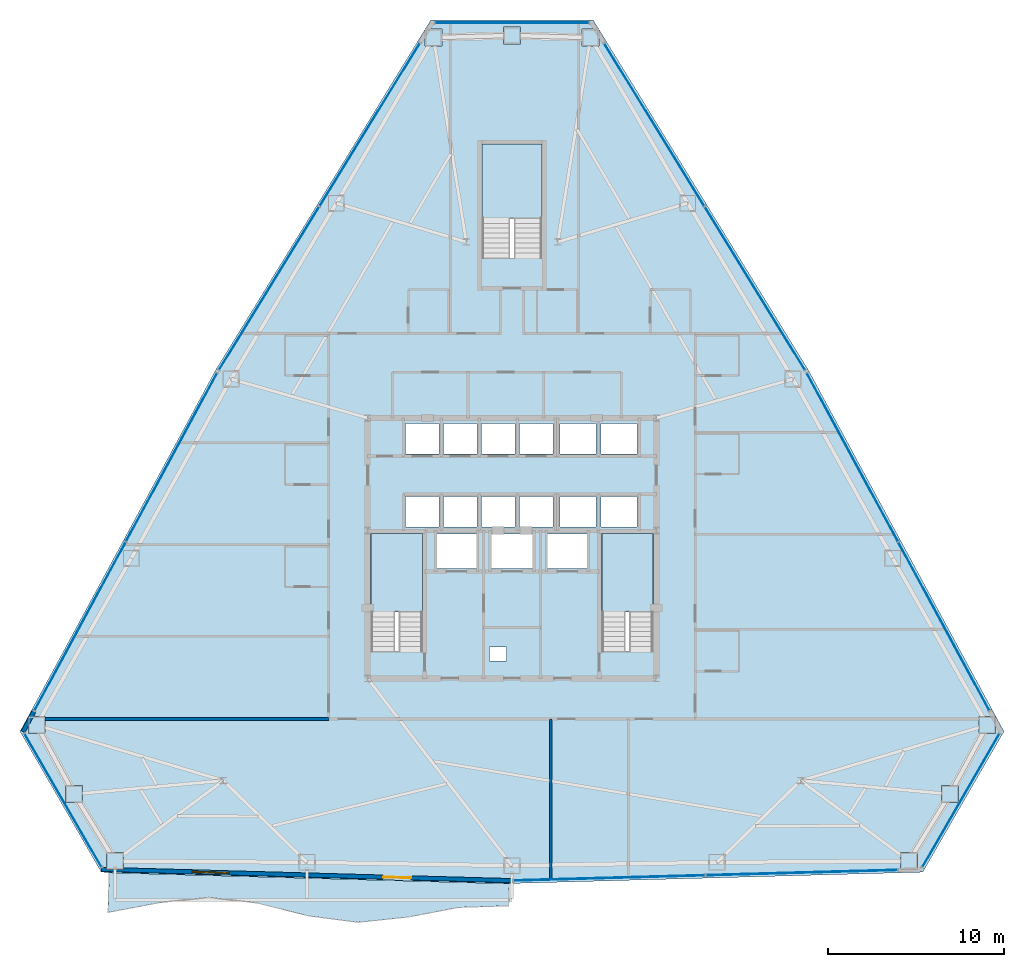
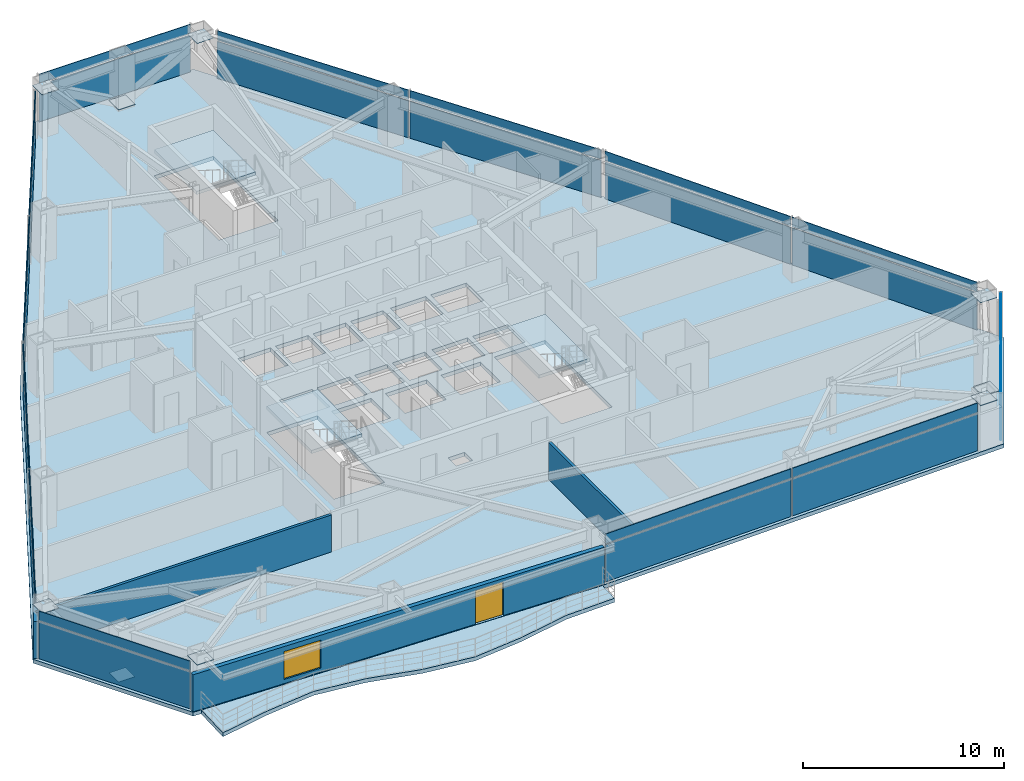
# One storey, part 8 of 13: 35 plates, 5 slabs, 4 walls, 1 door, 1 window, 2 openings, 11 elements without a shape of their own.
"""IFC4 building model written with IfcOpenShell, lengths in metres."""

from ifc_helpers import new_model, si_unit, direction, frame, frame_2d, origin, origin_2d, place, context, subcontext, project, spatial, polyline, rectangle, outline, extrude, source, transform, mapped, material, layer, layer_set, type_object, type_shapes, element, fill, aggregate, save


model = new_model("IFC4")

# Units and contexts
model_context = context("Model", 3, precision=1e-05, world=origin(), true_north=direction((0.0, 1.0)))
body_context = subcontext(model_context, "Body", "Model", "MODEL_VIEW")
ifc_project = project(units=[si_unit("LENGTHUNIT", "METRE"), si_unit("AREAUNIT", "SQUARE_METRE"), si_unit("VOLUMEUNIT", "CUBIC_METRE"), si_unit("PLANEANGLEUNIT", "RADIAN"), si_unit("MASSUNIT", "GRAM", prefix="KILO")], contexts=[model_context])

# Site, building, storey
site_placement = place(None, origin())
site = spatial("IfcSite", under=ifc_project, at=site_placement, CompositionType="ELEMENT")
building_placement = place(site_placement, origin())
building = spatial("IfcBuilding", under=site, at=building_placement, Name="Varakhsha Concourse Tower", CompositionType="ELEMENT")
storey_placement = place(building_placement, frame((0.0, 0.0, 102.199951171875)))
storey = spatial("IfcBuildingStorey", under=building, at=storey_placement, Name="L29", CompositionType="ELEMENT", Elevation=102.199951171875)

# Slab
ifc_material_1 = material(Name="Concrete fc 45 MPa", Category="concrete")
ifc_layer_1 = layer(ifc_material_1, 0.22998046875, Name="SL-FLR-230")
ifc_layer_set_1 = layer_set([ifc_layer_1], Name="Concrete fc 45 MPa")
slab_type_1 = type_object("IfcSlabType", Name="SL-FLR-230", PredefinedType="FLOOR", material=ifc_layer_set_1)
slab_1_placement = place(storey_placement, frame((0.0, 0.0, -0.22998046875)))
element("IfcSlab", 1, at=slab_1_placement, inside=storey, type_object=slab_type_1, Name="L29 Composite Structural Slab", PredefinedType="FLOOR", context=body_context, shape_type="SweptSolid", body=[
    extrude(outline(polyline([(44.6142578125, 53.807861328125), (35.3857421875, 53.807861328125), (23.161865234375, 33.92138671875), (12.0517578125, 13.39208984375), (16.666015625, 5.39990234375), (40.0, 4.757080078125), (63.333984375, 5.39990234375), (67.9482421875, 13.39208984375), (56.838134765625, 33.92138671875), (44.6142578125, 53.807861328125)]), holes=[polyline([(34.919921875, 17.93994140625), (34.919921875, 24.6298828125), (32.0, 24.6298828125), (32.0, 17.93994140625), (34.919921875, 17.93994140625)]), polyline([(48.02001953125, 17.93994140625), (48.02001953125, 24.6298828125), (45.10009765625, 24.6298828125), (45.10009765625, 17.93994140625), (48.02001953125, 17.93994140625)]), polyline([(41.699951171875, 40.300048828125), (41.699951171875, 46.75), (38.300048828125, 46.75), (38.300048828125, 40.300048828125), (41.699951171875, 40.300048828125)]), polyline([(33.9599609375, 29.159912109375), (35.840087890625, 29.159912109375), (35.840087890625, 30.89990234375), (33.9599609375, 30.89990234375), (33.9599609375, 29.159912109375)]), polyline([(36.1201171875, 29.159912109375), (38.0, 29.159912109375), (38.0, 30.89990234375), (36.1201171875, 30.89990234375), (36.1201171875, 29.159912109375)]), polyline([(38.280029296875, 29.159912109375), (40.159912109375, 29.159912109375), (40.159912109375, 30.89990234375), (38.280029296875, 30.89990234375), (38.280029296875, 29.159912109375)]), polyline([(40.43994140625, 29.159912109375), (42.320068359375, 29.159912109375), (42.320068359375, 30.89990234375), (40.43994140625, 30.89990234375), (40.43994140625, 29.159912109375)]), polyline([(33.9599609375, 25.0), (35.840087890625, 25.0), (35.840087890625, 26.739990234375), (33.9599609375, 26.739990234375), (33.9599609375, 25.0)]), polyline([(36.1201171875, 25.0), (38.0, 25.0), (38.0, 26.739990234375), (36.1201171875, 26.739990234375), (36.1201171875, 25.0)]), polyline([(38.280029296875, 25.0), (40.159912109375, 25.0), (40.159912109375, 26.739990234375), (38.280029296875, 26.739990234375), (38.280029296875, 25.0)]), polyline([(40.43994140625, 25.0), (42.320068359375, 25.0), (42.320068359375, 26.739990234375), (40.43994140625, 26.739990234375), (40.43994140625, 25.0)]), polyline([(42.739990234375, 29.159912109375), (44.780029296875, 29.159912109375), (44.780029296875, 30.89990234375), (42.739990234375, 30.89990234375), (42.739990234375, 29.159912109375)]), polyline([(45.06005859375, 29.159912109375), (47.10009765625, 29.159912109375), (47.10009765625, 30.89990234375), (45.06005859375, 30.89990234375), (45.06005859375, 29.159912109375)]), polyline([(42.739990234375, 25.0), (44.780029296875, 25.0), (44.780029296875, 26.739990234375), (42.739990234375, 26.739990234375), (42.739990234375, 25.0)]), polyline([(45.06005859375, 25.0), (47.10009765625, 25.0), (47.10009765625, 26.739990234375), (45.06005859375, 26.739990234375), (45.06005859375, 25.0)]), polyline([(35.7099609375, 22.639892578125), (37.989990234375, 22.639892578125), (37.989990234375, 24.60009765625), (35.7099609375, 24.60009765625), (35.7099609375, 22.639892578125)]), polyline([(42.010009765625, 22.639892578125), (44.2900390625, 22.639892578125), (44.2900390625, 24.60009765625), (42.010009765625, 24.60009765625), (42.010009765625, 22.639892578125)]), polyline([(38.81005859375, 22.639892578125), (41.18994140625, 22.639892578125), (41.18994140625, 24.60009765625), (38.81005859375, 24.60009765625), (38.81005859375, 22.639892578125)]), polyline([(38.719970703125, 17.39990234375), (39.679931640625, 17.39990234375), (39.679931640625, 18.199951171875), (38.719970703125, 18.199951171875), (38.719970703125, 17.39990234375)])]), origin(), (0.0, 0.0, 1.0), 0.22998046875),
])

# Stair, slab
stair_type_1 = type_object("IfcStairType", Name="ST-DOGLEG-1360", PredefinedType="HALF_TURN_STAIR", material=ifc_material_1)
stair_1_placement = place(storey_placement, origin())
stair_1 = element("IfcStair", 2, at=stair_1_placement, inside=storey, type_object=stair_type_1, Name="L29 Protected Exit Stair ST1", PredefinedType="HALF_TURN_STAIR")
ifc_layer_2 = layer(ifc_material_1, 0.199951171875, Name="SL-LAND-200")
ifc_layer_set_2 = layer_set([ifc_layer_2], Name="Concrete fc 45 MPa")
slab_type_2 = type_object("IfcSlabType", Name="SL-LAND-200", PredefinedType="LANDING", material=ifc_layer_set_2)
slab_2_placement = place(storey_placement, frame((0.0, 0.0, 1.400146484375)))
slab_2 = element("IfcSlab", 3, at=slab_2_placement, type_object=slab_type_2, Name="ST1 landing 1", PredefinedType="LANDING", context=body_context, shape_type="SweptSolid", body=[
    extrude(outline(polyline([(34.919921875, 20.179931640625), (34.919921875, 24.6298828125), (32.0, 24.6298828125), (32.0, 20.179931640625), (34.919921875, 20.179931640625)])), origin(), (0.0, 0.0, 1.0), 0.199951171875),
])
aggregate(stair_1, [slab_2])

stair_2_placement = place(storey_placement, origin())
stair_2 = element("IfcStair", 4, at=stair_2_placement, inside=storey, type_object=stair_type_1, Name="L29 Protected Exit Stair ST2", PredefinedType="HALF_TURN_STAIR")
slab_3_placement = place(storey_placement, frame((0.0, 0.0, 1.400146484375)))
slab_3 = element("IfcSlab", 5, at=slab_3_placement, type_object=slab_type_2, Name="ST2 landing 1", PredefinedType="LANDING", context=body_context, shape_type="SweptSolid", body=[
    extrude(outline(polyline([(48.02001953125, 20.179931640625), (48.02001953125, 24.6298828125), (45.10009765625, 24.6298828125), (45.10009765625, 20.179931640625), (48.02001953125, 20.179931640625)])), origin(), (0.0, 0.0, 1.0), 0.199951171875),
])
aggregate(stair_2, [slab_3])

stair_type_2 = type_object("IfcStairType", Name="ST-DOGLEG-1600", PredefinedType="HALF_TURN_STAIR", material=ifc_material_1)
stair_3_placement = place(storey_placement, origin())
stair_3 = element("IfcStair", 6, at=stair_3_placement, inside=storey, type_object=stair_type_2, Name="L29 Protected Exit Stair ST5", PredefinedType="HALF_TURN_STAIR")
slab_4_placement = place(storey_placement, frame((0.0, 0.0, 1.400146484375)))
slab_4 = element("IfcSlab", 7, at=slab_4_placement, type_object=slab_type_2, Name="ST5 landing 1", PredefinedType="LANDING", context=body_context, shape_type="SweptSolid", body=[
    extrude(outline(polyline([(41.699951171875, 42.5400390625), (41.699951171875, 46.75), (38.300048828125, 46.75), (38.300048828125, 42.5400390625), (41.699951171875, 42.5400390625)])), origin(), (0.0, 0.0, 1.0), 0.199951171875),
])
aggregate(stair_3, [slab_4])

# Slab
ifc_layer_3 = layer(ifc_material_1, 0.239990234375, Name="SL-TERR-240")
ifc_layer_set_3 = layer_set([ifc_layer_3], Name="Concrete fc 45 MPa")
slab_type_3 = type_object("IfcSlabType", Name="SL-TERR-240", PredefinedType="FLOOR", material=ifc_layer_set_3)
slab_5_placement = place(storey_placement, frame((0.0, 0.0, -0.239990234375)))
element("IfcSlab", 8, at=slab_5_placement, inside=storey, type_object=slab_type_3, Name="L29 Hotel Wave Sky-Loggia Balcony", PredefinedType="FLOOR", context=body_context, shape_type="SweptSolid", body=[
    extrude(outline(polyline([(17.115478515625, 5.37255859375), (39.849609375, 4.74609375), (39.81494140625, 3.486328125), (36.968505859375, 3.397216796875), (34.109619140625, 2.851318359375), (31.25732421875, 2.549072265625), (28.423583984375, 2.91748046875), (25.59912109375, 3.631103515625), (22.764892578125, 3.976806640625), (19.912109375, 3.65478515625), (17.05322265625, 3.1142578125), (17.115478515625, 5.37255859375)])), origin(), (0.0, 0.0, 1.0), 0.239990234375),
])

# Plates
ifc_material_2 = material(Name="Structural Steel ASTM A572 Grade 50", Category="steel")
ifc_layer_4 = layer(ifc_material_2, 0.030029296875, Name="PL-ENDCAP-950")
ifc_layer_set_4 = layer_set([ifc_layer_4], Name="Structural Steel ASTM A572 Grade 50")
plate_type_1 = type_object("IfcPlateType", Name="PL-ENDCAP-950", PredefinedType="USERDEFINED", material=ifc_layer_set_4)
shared_shape_1 = source(origin(), body_context, "Body", "SweptSolid", [
    extrude(rectangle(XDim=0.949951171875, YDim=0.949951171875, at=origin_2d()), origin(), (0.0, 0.0, 1.0), 0.030029296875),
])
type_shapes(plate_type_1, [shared_shape_1])
for number, where, z_axis, x_axis, name in (
    (9, (40.0, 52.927734375, 0.10498046875), (0.0, 0.0, 1.0), (1.0, 0.0, 0.0), "Hollow Section End Cap GP-NODE-L29-0274"),
    (10, (44.45849609375, 52.807861328125, 2.6552734375), (0.0, 0.0, 1.0), (1.0, 0.0, 0.0), "Hollow Section End Cap GP-NODE-L29-0275"),
    (11, (35.54150390625, 52.807861328125, 2.6552734375), (0.0, 0.0, 1.0), (1.0, 0.0, 0.0), "Hollow Section End Cap GP-NODE-L29-0276"),
    (12, (15.12109375, 9.836181640625, 0.10498046875), (0.0, 0.0, 1.0), (1.0, 0.0, 0.0), "Hollow Section End Cap GP-NODE-L29-0277"),
    (13, (12.99560546875, 13.757080078125, 2.6552734375), (0.0, 0.0, 1.0), (1.0, 0.0, 0.0), "Hollow Section End Cap GP-NODE-L29-0278"),
    (14, (17.4541015625, 6.034912109375, 2.6552734375), (0.0, 0.0, 1.0), (1.0, 0.0, 0.0), "Hollow Section End Cap GP-NODE-L29-0279"),
    (15, (64.87890625, 9.836181640625, 0.10498046875), (0.0, 0.0, 1.0), (1.0, 0.0, 0.0), "Hollow Section End Cap GP-NODE-L29-0280"),
    (16, (62.5458984375, 6.034912109375, 2.6552734375), (0.0, 0.0, 1.0), (1.0, 0.0, 0.0), "Hollow Section End Cap GP-NODE-L29-0281"),
    (17, (67.00439453125, 13.757080078125, 2.6552734375), (0.0, 0.0, 1.0), (1.0, 0.0, 0.0), "Hollow Section End Cap GP-NODE-L29-0282"),
):
    element("IfcPlate", number, at=place(storey_placement, frame(where, z_axis=z_axis, x_axis=x_axis)), inside=storey, type_object=plate_type_1, Name=name, ObjectType="END PLATE", PredefinedType="USERDEFINED", context=body_context, shape_type="MappedRepresentation", body=[
        mapped(shared_shape_1, transform((0.0, 0.0, 0.0), scale=1.0)),
    ])

# Curtain wall, plate
ifc_material_3 = material(Name="Anodised Bronze Architectural Aluminium AA 6063-T6", Category="aluminium")
ifc_layer_5 = layer(ifc_material_3, 0.199951171875, Name="CW-SYS-03")
ifc_layer_set_5 = layer_set([ifc_layer_5], Name="Anodised Bronze Architectural Aluminium AA 6063-T6")
curtain_wall_type = type_object("IfcCurtainWallType", Name="CW-SYS-03", PredefinedType="NOTDEFINED", material=ifc_layer_set_5)
curtain_wall_1_placement = place(storey_placement, origin())
curtain_wall_1 = element("IfcCurtainWall", 18, at=curtain_wall_1_placement, inside=storey, type_object=curtain_wall_type, Name="L29 Chamfer Curtain Wall F1", PredefinedType="NOTDEFINED")
ifc_material_4 = material(Name="Insulated Anodised Bronze Aluminium Spandrel 36 mm", Category="aluminium")
ifc_layer_6 = layer(ifc_material_4, 0.035888671875, Name="CWP-SPN-36")
ifc_layer_set_6 = layer_set([ifc_layer_6], Name="Insulated Anodised Bronze Aluminium Spandrel 36 mm")
plate_type_2 = type_object("IfcPlateType", Name="CWP-SPN-36", PredefinedType="USERDEFINED", material=ifc_layer_set_6)
shared_shape_2 = source(origin(), body_context, "Body", "SweptSolid", [
    extrude(rectangle(XDim=8.709716796875, YDim=0.035888671875, at=origin_2d()), origin(), (0.0, 0.0, 1.0), 2.2509765625),
])
type_shapes(plate_type_2, [shared_shape_2])
plate_1_placement = place(storey_placement, frame((40.0, 53.647705078125, 0.03466796875), z_axis=(0.0, 0.0, 1.0), x_axis=(1.0, 0.0, 0.0)))
plate_1 = element("IfcPlate", 19, at=plate_1_placement, type_object=plate_type_2, Name="CW-L29-F1 Panel 00-00", ObjectType="SPANDREL", PredefinedType="USERDEFINED", context=body_context, shape_type="MappedRepresentation", body=[
    mapped(shared_shape_2, transform((0.0, 0.0, 0.0), scale=1.0)),
])

curtain_wall_2_placement = place(storey_placement, origin())
curtain_wall_2 = element("IfcCurtainWall", 20, at=curtain_wall_2_placement, inside=storey, type_object=curtain_wall_type, Name="L29 Chamfer Curtain Wall F4", PredefinedType="NOTDEFINED")
plate_2_placement = place(storey_placement, frame((14.49755859375, 9.47607421875, 0.03466796875), z_axis=(0.0, 0.0, 1.0), x_axis=(-0.499996976998, 0.866027149108, 0.0)))
plate_2 = element("IfcPlate", 21, at=plate_2_placement, type_object=plate_type_2, Name="CW-L29-F4 Panel 00-00", ObjectType="SPANDREL", PredefinedType="USERDEFINED", context=body_context, shape_type="MappedRepresentation", body=[
    mapped(shared_shape_2, transform((0.0, 0.0, 0.0), scale=1.0)),
])

curtain_wall_3_placement = place(storey_placement, origin())
curtain_wall_3 = element("IfcCurtainWall", 22, at=curtain_wall_3_placement, inside=storey, type_object=curtain_wall_type, Name="L29 Chamfer Curtain Wall F7", PredefinedType="NOTDEFINED")
plate_3_placement = place(storey_placement, frame((65.50244140625, 9.47607421875, 0.03466796875), z_axis=(0.0, 0.0, 1.0), x_axis=(-0.499996976998, -0.866027149108, 0.0)))
plate_3 = element("IfcPlate", 23, at=plate_3_placement, type_object=plate_type_2, Name="CW-L29-F7 Panel 00-00", ObjectType="SPANDREL", PredefinedType="USERDEFINED", context=body_context, shape_type="MappedRepresentation", body=[
    mapped(shared_shape_2, transform((0.0, 0.0, 0.0), scale=1.0)),
])

# Plate
ifc_material_5 = material(Name="Glazed Turquoise-Bronze Ceramic Spandrel Panel 38 mm", Category="ceramic")
ifc_layer_7 = layer(ifc_material_5, 0.0380859375, Name="CWP-SPN-38")
ifc_layer_set_7 = layer_set([ifc_layer_7], Name="Glazed Turquoise-Bronze Ceramic Spandrel Panel 38 mm")
plate_type_3 = type_object("IfcPlateType", Name="CWP-SPN-38", PredefinedType="USERDEFINED", material=ifc_layer_set_7)
shared_shape_3 = source(origin(), body_context, "Body", "SweptSolid", [
    extrude(rectangle(XDim=8.709716796875, YDim=0.0380859375, at=origin_2d()), origin(), (0.0, 0.0, 1.0), 0.5810546875),
])
plate_4_placement = place(storey_placement, frame((40.0, 53.647705078125, 2.3544921875), z_axis=(0.0, 0.0, 1.0), x_axis=(1.0, 0.0, 0.0)))
plate_4 = element("IfcPlate", 24, at=plate_4_placement, type_object=plate_type_3, Name="CW-L29-F1 Panel 00-01", ObjectType="SPANDREL", PredefinedType="USERDEFINED", context=body_context, shape_type="MappedRepresentation", body=[
    mapped(shared_shape_3, transform((0.0, 0.0, 0.0), scale=1.0)),
])

aggregate(curtain_wall_1, [plate_1, plate_4])

plate_5_placement = place(storey_placement, frame((14.49755859375, 9.47607421875, 2.3544921875), z_axis=(0.0, 0.0, 1.0), x_axis=(-0.499996976998, 0.866027149108, 0.0)))
plate_5 = element("IfcPlate", 25, at=plate_5_placement, type_object=plate_type_3, Name="CW-L29-F4 Panel 00-01", ObjectType="SPANDREL", PredefinedType="USERDEFINED", context=body_context, shape_type="MappedRepresentation", body=[
    mapped(shared_shape_3, transform((0.0, 0.0, 0.0), scale=1.0)),
])

aggregate(curtain_wall_2, [plate_2, plate_5])

plate_6_placement = place(storey_placement, frame((65.50244140625, 9.47607421875, 2.3544921875), z_axis=(0.0, 0.0, 1.0), x_axis=(-0.499996976998, -0.866027149108, 0.0)))
plate_6 = element("IfcPlate", 26, at=plate_6_placement, type_object=plate_type_3, Name="CW-L29-F7 Panel 00-01", ObjectType="SPANDREL", PredefinedType="USERDEFINED", context=body_context, shape_type="MappedRepresentation", body=[
    mapped(shared_shape_3, transform((0.0, 0.0, 0.0), scale=1.0)),
])

aggregate(curtain_wall_3, [plate_3, plate_6])

# Curtain wall, plates
curtain_wall_4_placement = place(storey_placement, origin())
curtain_wall_4 = element("IfcCurtainWall", 27, at=curtain_wall_4_placement, inside=storey, type_object=curtain_wall_type, Name="L29 Crystal Curtain Wall F2", PredefinedType="NOTDEFINED")
ifc_material_6 = material(Name="Low-E Triple Insulating Glass IGU 44 mm", Category="glass")
ifc_layer_8 = layer(ifc_material_6, 0.0439453125, Name="CWP-IGU-44")
ifc_layer_set_8 = layer_set([ifc_layer_8], Name="Low-E Triple Insulating Glass IGU 44 mm")
plate_type_4 = type_object("IfcPlateType", Name="CWP-IGU-44", PredefinedType="CURTAIN_PANEL", material=ifc_layer_set_8)
shared_shape_4 = source(origin(), body_context, "Body", "SweptSolid", [
    extrude(rectangle(XDim=10.84228515625, YDim=0.0439453125, at=origin_2d()), origin(), (0.0, 0.0, 1.0), 2.2509765625),
])
plate_7_placement = place(storey_placement, frame((26.19970703125, 38.55810546875, 0.03466796875), z_axis=(0.0, 0.0, 1.0), x_axis=(0.523664775253, 0.851924411646, 0.0)))
plate_7 = element("IfcPlate", 28, at=plate_7_placement, type_object=plate_type_4, Name="CW-L29-F2 Panel 00-00", PredefinedType="CURTAIN_PANEL", context=body_context, shape_type="MappedRepresentation", body=[
    mapped(shared_shape_4, transform((0.0, 0.0, 0.0), scale=1.0)),
])
plate_8_placement = place(storey_placement, frame((31.918701171875, 47.8623046875, 0.03466796875), z_axis=(0.0, 0.0, 1.0), x_axis=(0.523664775253, 0.851924411646, 0.0)))
plate_8 = element("IfcPlate", 29, at=plate_8_placement, type_object=plate_type_4, Name="CW-L29-F2 Panel 01-00", PredefinedType="CURTAIN_PANEL", context=body_context, shape_type="MappedRepresentation", body=[
    mapped(shared_shape_4, transform((0.0, 0.0, 0.0), scale=1.0)),
])

# Curtain wall, plate
curtain_wall_5_placement = place(storey_placement, origin())
curtain_wall_5 = element("IfcCurtainWall", 30, at=curtain_wall_5_placement, inside=storey, type_object=curtain_wall_type, Name="L29 Crystal Curtain Wall F3", PredefinedType="NOTDEFINED")
plate_9_placement = place(storey_placement, frame((20.665283203125, 28.972412109375, 0.03466796875), z_axis=(0.0, 0.0, 1.0), x_axis=(0.475958864887, 0.879467542855, 0.0)))
plate_9 = element("IfcPlate", 31, at=plate_9_placement, type_object=plate_type_4, Name="CW-L29-F3 Panel 01-00", PredefinedType="CURTAIN_PANEL", context=body_context, shape_type="MappedRepresentation", body=[
    mapped(shared_shape_4, transform((0.0, 0.0, 0.0), scale=1.0)),
])

curtain_wall_6_placement = place(storey_placement, origin())
curtain_wall_6 = element("IfcCurtainWall", 32, at=curtain_wall_6_placement, inside=storey, type_object=curtain_wall_type, Name="L29 Crystal Curtain Wall F6", PredefinedType="NOTDEFINED")
plate_10_placement = place(storey_placement, frame((45.5341796875, 5.069580078125, 0.03466796875), z_axis=(0.0, 0.0, 1.0), x_axis=(-0.99962052214, -0.02754653728, 0.0)))
plate_10 = element("IfcPlate", 33, at=plate_10_placement, type_object=plate_type_4, Name="CW-L29-F6 Panel 01-00", PredefinedType="CURTAIN_PANEL", context=body_context, shape_type="MappedRepresentation", body=[
    mapped(shared_shape_4, transform((0.0, 0.0, 0.0), scale=1.0)),
])

curtain_wall_7_placement = place(storey_placement, origin())
curtain_wall_7 = element("IfcCurtainWall", 34, at=curtain_wall_7_placement, inside=storey, type_object=curtain_wall_type, Name="L29 Crystal Curtain Wall F8", PredefinedType="NOTDEFINED")
plate_11_placement = place(storey_placement, frame((64.53271484375, 19.367431640625, 0.03466796875), z_axis=(0.0, 0.0, 1.0), x_axis=(0.475958864887, -0.879467542855, 0.0)))
plate_11 = element("IfcPlate", 35, at=plate_11_placement, type_object=plate_type_4, Name="CW-L29-F8 Panel 01-00", PredefinedType="CURTAIN_PANEL", context=body_context, shape_type="MappedRepresentation", body=[
    mapped(shared_shape_4, transform((0.0, 0.0, 0.0), scale=1.0)),
])

# Curtain wall, plates
curtain_wall_8_placement = place(storey_placement, origin())
curtain_wall_8 = element("IfcCurtainWall", 36, at=curtain_wall_8_placement, inside=storey, type_object=curtain_wall_type, Name="L29 Crystal Curtain Wall F9", PredefinedType="NOTDEFINED")
plate_12_placement = place(storey_placement, frame((48.081298828125, 47.8623046875, 0.03466796875), z_axis=(0.0, 0.0, 1.0), x_axis=(0.523664775253, -0.851924411646, 0.0)))
plate_12 = element("IfcPlate", 37, at=plate_12_placement, type_object=plate_type_4, Name="CW-L29-F9 Panel 00-00", PredefinedType="CURTAIN_PANEL", context=body_context, shape_type="MappedRepresentation", body=[
    mapped(shared_shape_4, transform((0.0, 0.0, 0.0), scale=1.0)),
])
plate_13_placement = place(storey_placement, frame((53.80029296875, 38.55810546875, 0.03466796875), z_axis=(0.0, 0.0, 1.0), x_axis=(0.523664775253, -0.851924411646, 0.0)))
plate_13 = element("IfcPlate", 38, at=plate_13_placement, type_object=plate_type_4, Name="CW-L29-F9 Panel 01-00", PredefinedType="CURTAIN_PANEL", context=body_context, shape_type="MappedRepresentation", body=[
    mapped(shared_shape_4, transform((0.0, 0.0, 0.0), scale=1.0)),
])

# Plate
shared_shape_5 = source(origin(), body_context, "Body", "SweptSolid", [
    extrude(rectangle(XDim=10.84228515625, YDim=0.0380859375, at=origin_2d()), origin(), (0.0, 0.0, 1.0), 0.5810546875),
])
plate_14_placement = place(storey_placement, frame((26.19970703125, 38.55810546875, 2.3544921875), z_axis=(0.0, 0.0, 1.0), x_axis=(0.523664775253, 0.851924411646, 0.0)))
plate_14 = element("IfcPlate", 39, at=plate_14_placement, type_object=plate_type_3, Name="CW-L29-F2 Panel 00-01", ObjectType="SPANDREL", PredefinedType="USERDEFINED", context=body_context, shape_type="MappedRepresentation", body=[
    mapped(shared_shape_5, transform((0.0, 0.0, 0.0), scale=1.0)),
])

plate_15_placement = place(storey_placement, frame((31.918701171875, 47.8623046875, 2.3544921875), z_axis=(0.0, 0.0, 1.0), x_axis=(0.523664775253, 0.851924411646, 0.0)))
plate_15 = element("IfcPlate", 40, at=plate_15_placement, type_object=plate_type_3, Name="CW-L29-F2 Panel 01-01", ObjectType="SPANDREL", PredefinedType="USERDEFINED", context=body_context, shape_type="MappedRepresentation", body=[
    mapped(shared_shape_5, transform((0.0, 0.0, 0.0), scale=1.0)),
])

aggregate(curtain_wall_4, [plate_7, plate_14, plate_8, plate_15])

plate_16_placement = place(storey_placement, frame((20.665283203125, 28.972412109375, 2.3544921875), z_axis=(0.0, 0.0, 1.0), x_axis=(0.475958864887, 0.879467542855, 0.0)))
plate_16 = element("IfcPlate", 41, at=plate_16_placement, type_object=plate_type_3, Name="CW-L29-F3 Panel 01-01", ObjectType="SPANDREL", PredefinedType="USERDEFINED", context=body_context, shape_type="MappedRepresentation", body=[
    mapped(shared_shape_5, transform((0.0, 0.0, 0.0), scale=1.0)),
])

plate_17_placement = place(storey_placement, frame((45.5341796875, 5.069580078125, 2.3544921875), z_axis=(0.0, 0.0, 1.0), x_axis=(-0.99962052214, -0.02754653728, 0.0)))
plate_17 = element("IfcPlate", 42, at=plate_17_placement, type_object=plate_type_3, Name="CW-L29-F6 Panel 01-01", ObjectType="SPANDREL", PredefinedType="USERDEFINED", context=body_context, shape_type="MappedRepresentation", body=[
    mapped(shared_shape_5, transform((0.0, 0.0, 0.0), scale=1.0)),
])

plate_18_placement = place(storey_placement, frame((64.53271484375, 19.367431640625, 2.3544921875), z_axis=(0.0, 0.0, 1.0), x_axis=(0.475958864887, -0.879467542855, 0.0)))
plate_18 = element("IfcPlate", 43, at=plate_18_placement, type_object=plate_type_3, Name="CW-L29-F8 Panel 01-01", ObjectType="SPANDREL", PredefinedType="USERDEFINED", context=body_context, shape_type="MappedRepresentation", body=[
    mapped(shared_shape_5, transform((0.0, 0.0, 0.0), scale=1.0)),
])

plate_19_placement = place(storey_placement, frame((48.081298828125, 47.8623046875, 2.3544921875), z_axis=(0.0, 0.0, 1.0), x_axis=(0.523664775253, -0.851924411646, 0.0)))
plate_19 = element("IfcPlate", 44, at=plate_19_placement, type_object=plate_type_3, Name="CW-L29-F9 Panel 00-01", ObjectType="SPANDREL", PredefinedType="USERDEFINED", context=body_context, shape_type="MappedRepresentation", body=[
    mapped(shared_shape_5, transform((0.0, 0.0, 0.0), scale=1.0)),
])

plate_20_placement = place(storey_placement, frame((53.80029296875, 38.55810546875, 2.3544921875), z_axis=(0.0, 0.0, 1.0), x_axis=(0.523664775253, -0.851924411646, 0.0)))
plate_20 = element("IfcPlate", 45, at=plate_20_placement, type_object=plate_type_3, Name="CW-L29-F9 Panel 01-01", ObjectType="SPANDREL", PredefinedType="USERDEFINED", context=body_context, shape_type="MappedRepresentation", body=[
    mapped(shared_shape_5, transform((0.0, 0.0, 0.0), scale=1.0)),
])

aggregate(curtain_wall_8, [plate_12, plate_19, plate_13, plate_20])

shared_shape_6 = source(origin(), body_context, "Body", "SweptSolid", [
    extrude(rectangle(XDim=10.842529296875, YDim=0.0439453125, at=origin_2d()), origin(), (0.0, 0.0, 1.0), 2.2509765625),
])
type_shapes(plate_type_4, [shared_shape_4, shared_shape_6])
plate_21_placement = place(storey_placement, frame((15.46728515625, 19.367431640625, 0.03466796875), z_axis=(0.0, 0.0, 1.0), x_axis=(0.475958864887, 0.879467542855, 0.0)))
plate_21 = element("IfcPlate", 46, at=plate_21_placement, type_object=plate_type_4, Name="CW-L29-F3 Panel 00-00", PredefinedType="CURTAIN_PANEL", context=body_context, shape_type="MappedRepresentation", body=[
    mapped(shared_shape_6, transform((0.0, 0.0, 0.0), scale=1.0)),
])

plate_22_placement = place(storey_placement, frame((56.451416015625, 5.370361328125, 0.03466796875), z_axis=(0.0, 0.0, 1.0), x_axis=(-0.99962052214, -0.02754653728, 0.0)))
plate_22 = element("IfcPlate", 47, at=plate_22_placement, type_object=plate_type_4, Name="CW-L29-F6 Panel 00-00", PredefinedType="CURTAIN_PANEL", context=body_context, shape_type="MappedRepresentation", body=[
    mapped(shared_shape_6, transform((0.0, 0.0, 0.0), scale=1.0)),
])

plate_23_placement = place(storey_placement, frame((59.334716796875, 28.972412109375, 0.03466796875), z_axis=(0.0, 0.0, 1.0), x_axis=(0.475958864887, -0.879467542855, 0.0)))
plate_23 = element("IfcPlate", 48, at=plate_23_placement, type_object=plate_type_4, Name="CW-L29-F8 Panel 00-00", PredefinedType="CURTAIN_PANEL", context=body_context, shape_type="MappedRepresentation", body=[
    mapped(shared_shape_6, transform((0.0, 0.0, 0.0), scale=1.0)),
])

shared_shape_7 = source(origin(), body_context, "Body", "SweptSolid", [
    extrude(rectangle(XDim=10.842529296875, YDim=0.0380859375, at=origin_2d()), origin(), (0.0, 0.0, 1.0), 0.5810546875),
])
type_shapes(plate_type_3, [shared_shape_3, shared_shape_5, shared_shape_7])
plate_24_placement = place(storey_placement, frame((15.46728515625, 19.367431640625, 2.3544921875), z_axis=(0.0, 0.0, 1.0), x_axis=(0.475958864887, 0.879467542855, 0.0)))
plate_24 = element("IfcPlate", 49, at=plate_24_placement, type_object=plate_type_3, Name="CW-L29-F3 Panel 00-01", ObjectType="SPANDREL", PredefinedType="USERDEFINED", context=body_context, shape_type="MappedRepresentation", body=[
    mapped(shared_shape_7, transform((0.0, 0.0, 0.0), scale=1.0)),
])

aggregate(curtain_wall_5, [plate_21, plate_24, plate_9, plate_16])

plate_25_placement = place(storey_placement, frame((56.451416015625, 5.370361328125, 2.3544921875), z_axis=(0.0, 0.0, 1.0), x_axis=(-0.99962052214, -0.02754653728, 0.0)))
plate_25 = element("IfcPlate", 50, at=plate_25_placement, type_object=plate_type_3, Name="CW-L29-F6 Panel 00-01", ObjectType="SPANDREL", PredefinedType="USERDEFINED", context=body_context, shape_type="MappedRepresentation", body=[
    mapped(shared_shape_7, transform((0.0, 0.0, 0.0), scale=1.0)),
])

aggregate(curtain_wall_6, [plate_22, plate_25, plate_10, plate_17])

plate_26_placement = place(storey_placement, frame((59.334716796875, 28.972412109375, 2.3544921875), z_axis=(0.0, 0.0, 1.0), x_axis=(0.475958864887, -0.879467542855, 0.0)))
plate_26 = element("IfcPlate", 51, at=plate_26_placement, type_object=plate_type_3, Name="CW-L29-F8 Panel 00-01", ObjectType="SPANDREL", PredefinedType="USERDEFINED", context=body_context, shape_type="MappedRepresentation", body=[
    mapped(shared_shape_7, transform((0.0, 0.0, 0.0), scale=1.0)),
])

aggregate(curtain_wall_7, [plate_23, plate_26, plate_11, plate_18])

# Wall
ifc_layer_9 = layer(ifc_material_1, 0.239990234375, Name="WL-EXT-CRN-240")
ifc_layer_set_9 = layer_set([ifc_layer_9], Name="Concrete fc 45 MPa")
wall_type_1 = type_object("IfcWallType", Name="WL-EXT-CRN-240", PredefinedType="SHEAR", material=ifc_layer_set_9)
wall_1_placement = place(storey_placement, frame((12.850341796875, 14.531982421875, 0.0), z_axis=(0.0, 0.0, 1.0), x_axis=(-0.475820948293, -0.879542167929, 0.0)))
element("IfcWall", 52, at=wall_1_placement, inside=storey, type_object=wall_type_1, Name="L29 Wind-Corner Shoulder Wall F3", PredefinedType="SHEAR", context=body_context, shape_type="SweptSolid", body=[
    extrude(rectangle(XDim=1.310546875, YDim=0.239990234375, at=frame_2d((0.6552734375, 0.0))), origin(), (0.0, 0.0, 1.0), 2.2529296875),
])

# Wall, openings, door, window
wall_2_placement = place(storey_placement, frame((39.984375, 4.91748046875, 0.0), z_axis=(0.0, 0.0, 1.0), x_axis=(-0.999620599442, 0.027543731983, 0.0)))
wall_2 = element("IfcWall", 53, at=wall_2_placement, inside=storey, type_object=wall_type_1, Name="L29 Sky-Loggia Facade Wall", PredefinedType="SHEAR", context=body_context, shape_type="SweptSolid", body=[
    extrude(rectangle(XDim=23.302734375, YDim=0.239990234375, at=frame_2d((11.6513671875, 0.0))), origin(), (0.0, 0.0, 1.0), 2.2529296875),
])
opening_1_placement = place(wall_2_placement, frame((5.7119140625, 0.0, 0.0)))
opening_1 = element("IfcOpeningElement", 54, at=opening_1_placement, cuts=wall_2, Name="Opening DT-02", PredefinedType="OPENING", context=body_context, shape_type="SweptSolid", body=[
    extrude(rectangle(XDim=1.60009765625, YDim=2.0400390625, at=frame_2d((0.800048828125, 1.02001953125))), frame((0.0, 0.1298828125, 0.0), z_axis=(0.0, -1.0, 0.0), x_axis=(1.0, 0.0, 0.0)), (0.0, 0.0, 1.0), 0.260009765625),
])
opening_2_placement = place(wall_2_placement, frame((16.06201171875, 0.0, 0.25)))
opening_2 = element("IfcOpeningElement", 55, at=opening_2_placement, cuts=wall_2, Name="Opening W-04", PredefinedType="OPENING", context=body_context, shape_type="SweptSolid", body=[
    extrude(rectangle(XDim=2.10009765625, YDim=1.699951171875, at=frame_2d((1.050048828125, 0.85009765625))), frame((0.0, 0.1298828125, 0.0), z_axis=(0.0, -1.0, 0.0), x_axis=(1.0, 0.0, 0.0)), (0.0, 0.0, 1.0), 0.260009765625),
])
door_type = type_object("IfcDoorType", Name="DR-LOGGIA-1600", OperationType="DOUBLE_DOOR_SLIDING", PredefinedType="DOOR", material=ifc_material_3)
door_placement = place(opening_1_placement, origin())
door = element("IfcDoor", 56, at=door_placement, inside=storey, type_object=door_type, Name="L29 Sky-Loggia Sliding Glass Door", OperationType="SINGLE_SWING_LEFT", OverallHeight=2.0400390625, OverallWidth=1.60009765625, PredefinedType="DOOR", context=body_context, shape_type="SweptSolid", body=[
    extrude(rectangle(XDim=1.60009765625, YDim=2.0400390625, at=frame_2d((0.800048828125, 1.02001953125))), frame((0.0, 0.02490234375, 0.0), z_axis=(0.0, -1.0, 0.0), x_axis=(1.0, 0.0, 0.0)), (0.0, 0.0, 1.0), 0.050048828125),
])
fill(opening_1, door)
window_type = type_object("IfcWindowType", Name="WN-LOGGIA-2100", PartitioningType="SINGLE_PANEL", PredefinedType="WINDOW", material=ifc_material_6)
window_placement = place(opening_2_placement, origin())
window = element("IfcWindow", 57, at=window_placement, inside=storey, type_object=window_type, Name="L29 Sky-Loggia Picture Window 1", OverallHeight=1.699951171875, OverallWidth=2.10009765625, PartitioningType="SINGLE_PANEL", PredefinedType="WINDOW", context=body_context, shape_type="SweptSolid", body=[
    extrude(rectangle(XDim=2.10009765625, YDim=1.699951171875, at=frame_2d((1.050048828125, 0.85009765625))), frame((0.0, 0.030029296875, 0.0), z_axis=(0.0, -1.0, 0.0), x_axis=(1.0, 0.0, 0.0)), (0.0, 0.0, 1.0), 0.06005859375),
])
fill(opening_2, window)

# Walls
ifc_material_7 = material(Name="Fire-Rated Type X Gypsum Partition Assembly", Category="gypsum")
ifc_layer_10 = layer(ifc_material_7, 0.14990234375, Name="WL-PART-150")
ifc_layer_set_10 = layer_set([ifc_layer_10], Name="Fire-Rated Type X Gypsum Partition Assembly")
wall_type_2 = type_object("IfcWallType", Name="WL-PART-150", PredefinedType="PARTITIONING", material=ifc_layer_set_10)
wall_3_placement = place(storey_placement, frame((42.199951171875, 4.982666015625, 0.0), z_axis=(0.0, 0.0, 1.0), x_axis=(0.0, 1.0, 0.0)))
element("IfcWall", 58, at=wall_3_placement, inside=storey, type_object=wall_type_2, Name="L29 Wall HDIV-S1-L29", PredefinedType="PARTITIONING", context=body_context, shape_type="SweptSolid", body=[
    extrude(rectangle(XDim=9.117431640625, YDim=0.14990234375, at=frame_2d((4.55859375, 0.0))), origin(), (0.0, 0.0, 1.0), 2.258056640625),
])
wall_4_placement = place(storey_placement, frame((12.622314453125, 14.10009765625, 0.0), z_axis=(0.0, 0.0, 1.0), x_axis=(1.0, 0.0, 0.0)))
element("IfcWall", 59, at=wall_4_placement, inside=storey, type_object=wall_type_2, Name="L29 Wall HDIV-WB0-L29", PredefinedType="PARTITIONING", context=body_context, shape_type="SweptSolid", body=[
    extrude(rectangle(XDim=16.977783203125, YDim=0.14990234375, at=frame_2d((8.48876953125, 0.0))), origin(), (0.0, 0.0, 1.0), 2.258056640625),
])

save(model, "model.ifc")
